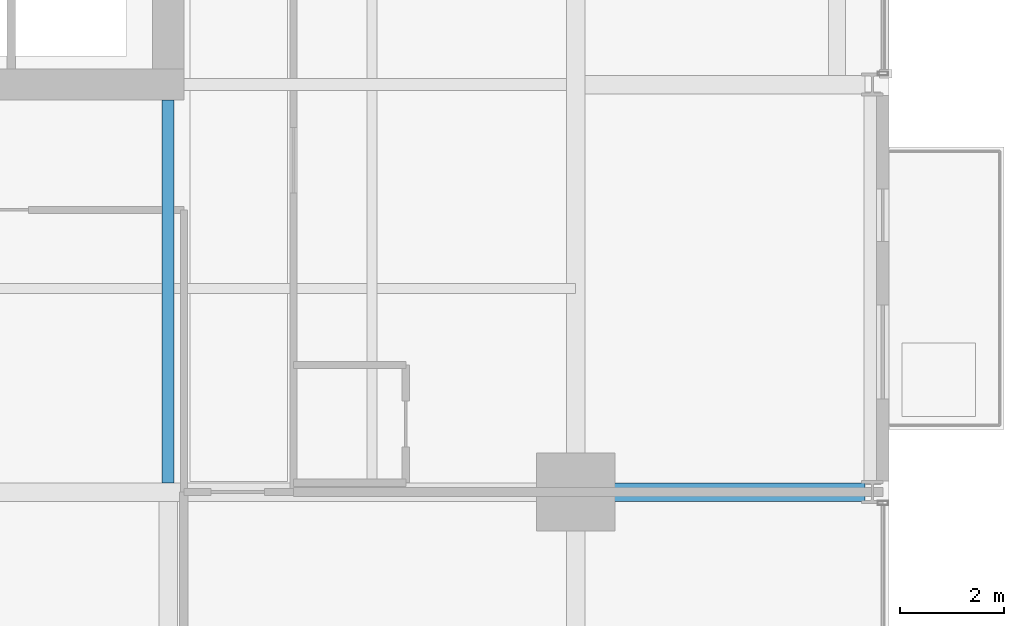
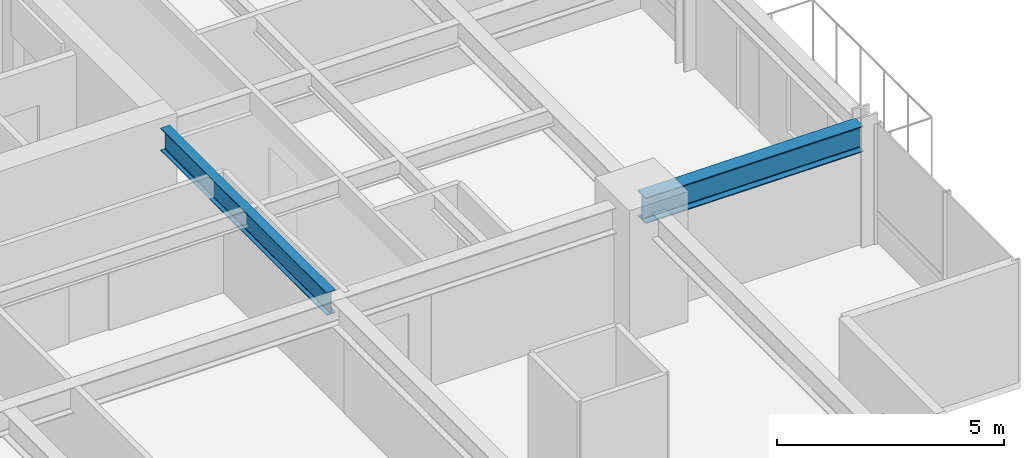
# One storey, part 12 of 33: 2 beams.
"""IFC4 building model written with IfcOpenShell, lengths in metres."""

from ifc_helpers import new_model, si_unit, direction, frame, origin, origin_2d, place, context, subcontext, project, spatial, i_section, extrude, material, material_profile, profile_set, type_object, element, save


model = new_model("IFC4")

# Units and contexts
model_context = context("Model", 3, precision=1e-05, world=origin(), true_north=direction((0.0, 1.0)))
body_context = subcontext(model_context, "Body", "Model", "MODEL_VIEW")
ifc_project = project(units=[si_unit("LENGTHUNIT", "METRE"), si_unit("AREAUNIT", "SQUARE_METRE"), si_unit("VOLUMEUNIT", "CUBIC_METRE"), si_unit("PLANEANGLEUNIT", "RADIAN"), si_unit("MASSUNIT", "GRAM", prefix="KILO")], contexts=[model_context])

# Site, building, storey
site_placement = place(None, origin())
site = spatial("IfcSite", under=ifc_project, at=site_placement, CompositionType="ELEMENT")
building_placement = place(site_placement, origin())
building = spatial("IfcBuilding", under=site, at=building_placement, Name="Drelvath Grand Hotel", CompositionType="ELEMENT")
storey_placement = place(building_placement, frame((0.0, 0.0, 119.800048828125)))
storey = spatial("IfcBuildingStorey", under=building, at=storey_placement, Name="L30", CompositionType="ELEMENT", Elevation=119.800048828125)

# Beams
ifc_material = material(Name="Steel ASTM A992 Gr 50", Category="steel")
ifc_material_profile_1 = material_profile(ifc_material, i_section(OverallWidth=0.228271484375, OverallDepth=0.607666015625, WebThickness=0.01123046875, FlangeThickness=0.017333984375, FilletRadius=0.02001953125, at=origin_2d()), Name="W24X76")
ifc_profile_set_1 = profile_set([ifc_material_profile_1], Name="Steel ASTM A992 Gr 50")
beam_type_1 = type_object("IfcBeamType", Name="Primary Floor Girder W24X76", PredefinedType="BEAM", material=ifc_profile_set_1)
beam_1_placement = place(storey_placement, frame((8.39990234375, 10.977294921875, 2.93603515625), z_axis=(0.0, 1.0, 0.0), x_axis=(-1.0, 0.0, 0.0)))
element("IfcBeam", 1, at=beam_1_placement, inside=storey, type_object=beam_type_1, Name="L30 South Core Tie 6", PredefinedType="BEAM", context=body_context, shape_type="SweptSolid", body=[
    extrude(i_section(OverallWidth=0.228271484375, OverallDepth=0.607666015625, WebThickness=0.01123046875, FlangeThickness=0.017333984375, FilletRadius=0.02001953125, at=origin_2d()), origin(), (0.0, 0.0, 1.0), 7.32275390625),
])
ifc_material_profile_2 = material_profile(ifc_material, i_section(OverallWidth=0.354736328125, OverallDepth=0.695556640625, WebThickness=0.015380859375, FlangeThickness=0.025146484375, FilletRadius=0.02392578125, at=origin_2d()), Name="W27X146")
ifc_profile_set_2 = profile_set([ifc_material_profile_2], Name="Steel ASTM A992 Gr 50")
beam_type_2 = type_object("IfcBeamType", Name="Primary Floor Girder W27X146", PredefinedType="BEAM", material=ifc_profile_set_2)
beam_2_placement = place(storey_placement, frame((16.199951171875, 10.800048828125, 2.892333984375), z_axis=(1.0, 0.0, 0.0), x_axis=(0.0, 1.0, 0.0)))
element("IfcBeam", 2, at=beam_2_placement, inside=storey, type_object=beam_type_2, Name="L30 East Grid Girder C", PredefinedType="BEAM", context=body_context, shape_type="SweptSolid", body=[
    extrude(i_section(OverallWidth=0.354736328125, OverallDepth=0.695556640625, WebThickness=0.015380859375, FlangeThickness=0.025146484375, FilletRadius=0.02392578125, at=origin_2d()), origin(), (0.0, 0.0, 1.0), 5.5400390625),
])

save(model, "model.ifc")
